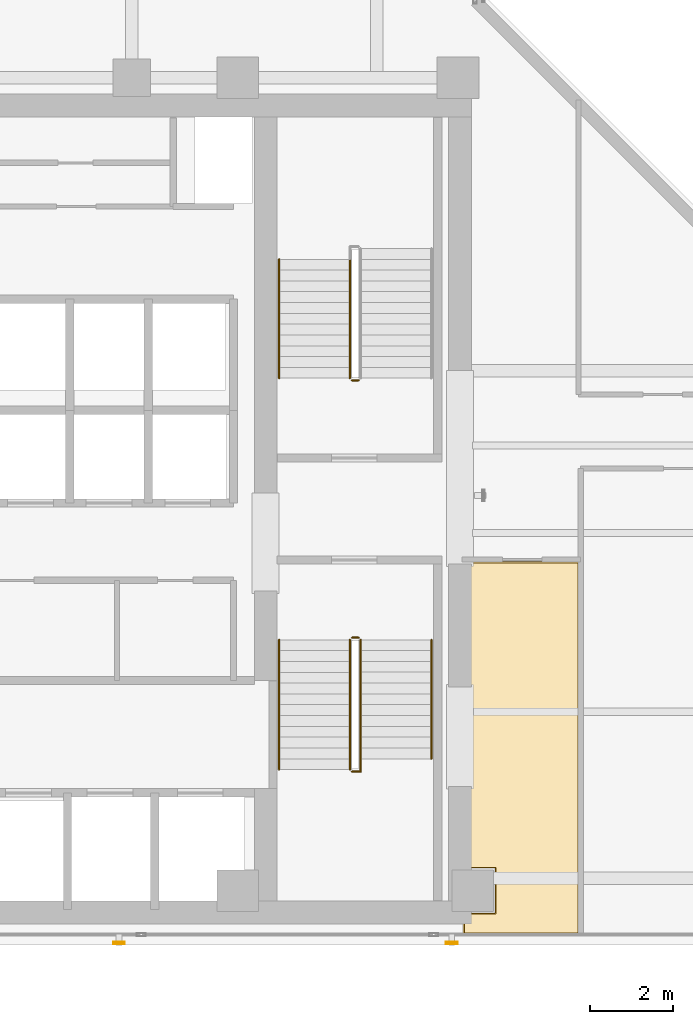
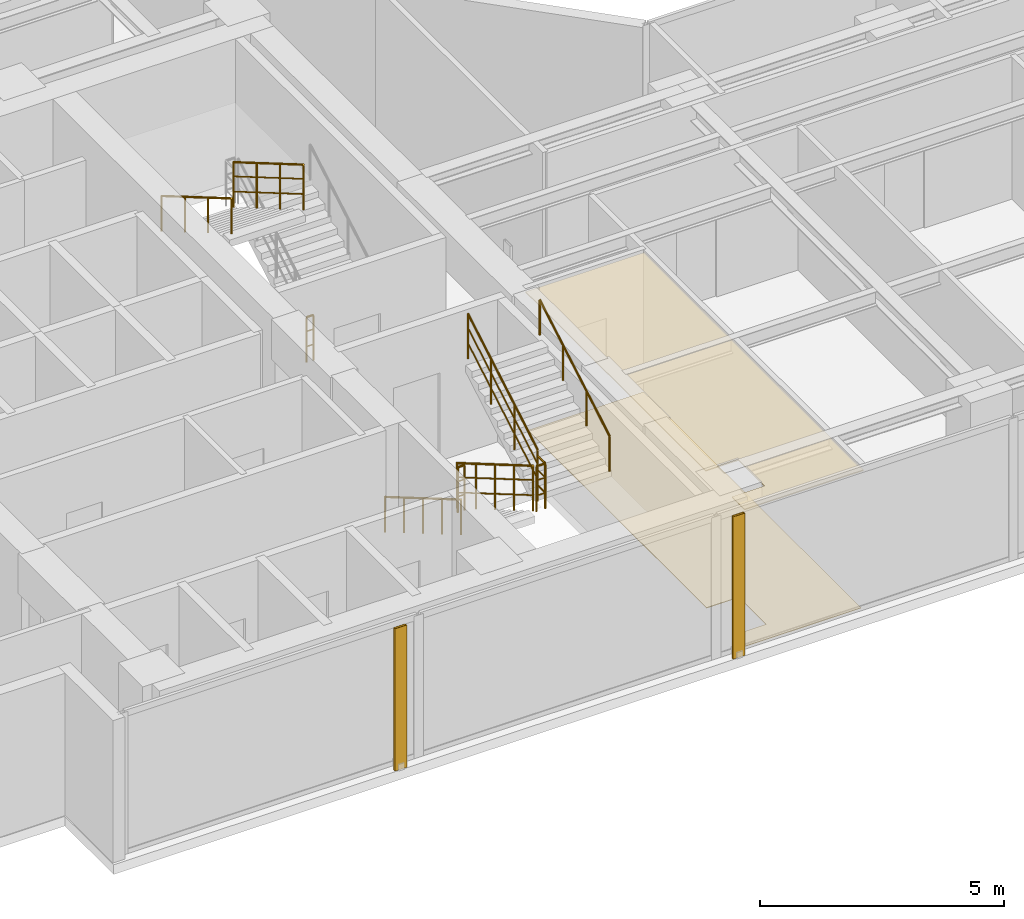
# One storey, part 19 of 23: 9 railings, 2 coverings, 2 shading devices.
"""IFC4 building model written with IfcOpenShell, lengths in metres."""

from ifc_helpers import new_model, si_unit, direction, frame, origin, origin_2d, place, context, subcontext, project, spatial, polyline, hollow_rectangle, circle, outline, extrude, material, layer, layer_set, material_profile, profile_set, type_object, element, save


model = new_model("IFC4")

# Units and contexts
model_context = context("Model", 3, precision=1e-05, world=origin(), true_north=direction((0.0, 1.0)))
body_context = subcontext(model_context, "Body", "Model", "MODEL_VIEW")
ifc_project = project(units=[si_unit("LENGTHUNIT", "METRE"), si_unit("AREAUNIT", "SQUARE_METRE"), si_unit("VOLUMEUNIT", "CUBIC_METRE"), si_unit("PLANEANGLEUNIT", "RADIAN"), si_unit("MASSUNIT", "GRAM", prefix="KILO")], contexts=[model_context])

# Site, building, storey
site_placement = place(None, origin())
site = spatial("IfcSite", under=ifc_project, at=site_placement, CompositionType="ELEMENT")
building_placement = place(site_placement, origin())
building = spatial("IfcBuilding", under=site, at=building_placement, Name="Kolvaren Waterfront Exchange", CompositionType="ELEMENT")
storey_placement = place(building_placement, frame((0.0, 0.0, 212.10009765625)))
storey = spatial("IfcBuildingStorey", under=building, at=storey_placement, Name="L54", CompositionType="ELEMENT", Elevation=212.10009765625)

# Covering
ifc_material_1 = material(Name="Mineral fibre acoustic ceiling tile")
ifc_layer_1 = layer(ifc_material_1, 0.02490234375, Name="Mineral fibre acoustic ceiling tile")
ifc_layer_set_1 = layer_set([ifc_layer_1], Name="Mineral fibre acoustic ceiling tile")
covering_type_1 = type_object("IfcCoveringType", Name="ARC-CEIL-ACOUSTIC-25", PredefinedType="CEILING", material=ifc_layer_set_1)
covering_1_placement = place(storey_placement, frame((0.0, 0.0, 3.44482421875)))
element("IfcCovering", 1, at=covering_1_placement, inside=storey, type_object=covering_type_1, Name="L54 acoustic suspended ceiling 3", PredefinedType="CEILING", context=body_context, shape_type="SweptSolid", body=[
    extrude(outline(polyline([(20.864990234375, 5.43994140625), (21.639892578125, 5.43994140625), (21.639892578125, 4.360107421875), (20.864990234375, 4.360107421875), (20.864990234375, 3.844970703125), (23.675048828125, 3.844970703125), (23.675048828125, 12.81494140625), (20.864990234375, 12.81494140625), (20.864990234375, 5.43994140625)])), origin(), (0.0, 0.0, 1.0), 0.025146484375),
])

# Shading devices
ifc_material_2 = material(Name="Anodised bronze aluminium 6063-T6", Category="aluminium")
ifc_material_profile = material_profile(ifc_material_2, hollow_rectangle(XDim=0.054931640625, YDim=0.280029296875, WallThickness=0.00439453125, at=origin_2d()), Name="BRZ-FIN-280x55x4.5")
ifc_profile_set = profile_set([ifc_material_profile], Name="Anodised bronze aluminium 6063-T6")
shading_device_type = type_object("IfcShadingDeviceType", Name="ARC-FIN-280", PredefinedType="USERDEFINED", material=ifc_profile_set)
for number, where, z_axis, x_axis, name in (
    (2, (12.60009765625, 3.639892578125, 0.0), (0.0, 0.0, 1.0), (0.0, -1.0, 0.0), "L54 anodised bronze solar shading fin FIN-L54-S1"),
    (3, (20.60009765625, 3.639892578125, 0.0), (0.0, 0.0, 1.0), (0.0, -1.0, 0.0), "L54 anodised bronze solar shading fin FIN-L54-S2"),
):
    element("IfcShadingDevice", number, at=place(storey_placement, frame(where, z_axis=z_axis, x_axis=x_axis)), inside=storey, type_object=shading_device_type, Name=name, ObjectType="SOLAR FIN", PredefinedType="USERDEFINED", context=body_context, shape_type="SweptSolid", body=[
        extrude(hollow_rectangle(XDim=0.054931640625, YDim=0.280029296875, WallThickness=0.00439453125, at=origin_2d()), origin(), (0.0, 0.0, 1.0), 3.559814453125),
    ])

# Covering
ifc_material_3 = material(Name="Slip-resistant porcelain tile")
ifc_layer_2 = layer(ifc_material_3, 0.014892578125, Name="Slip-resistant porcelain tile")
ifc_layer_set_2 = layer_set([ifc_layer_2], Name="Slip-resistant porcelain tile")
covering_type_2 = type_object("IfcCoveringType", Name="ARC-FLR-PORC-15", PredefinedType="FLOORING", material=ifc_layer_set_2)
covering_2_placement = place(storey_placement, origin())
element("IfcCovering", 4, at=covering_2_placement, inside=storey, type_object=covering_type_2, Name="L54 floor finish 3", PredefinedType="FLOORING", context=body_context, shape_type="SweptSolid", body=[
    extrude(outline(polyline([(20.89990234375, 4.340087890625), (20.89990234375, 3.8798828125), (23.639892578125, 3.8798828125), (23.639892578125, 12.780029296875), (20.89990234375, 12.780029296875), (20.89990234375, 5.4599609375), (21.659912109375, 5.4599609375), (21.659912109375, 4.340087890625), (20.89990234375, 4.340087890625)])), origin(), (0.0, 0.0, 1.0), 0.014892578125),
])

# Railings
ifc_material_4 = material(Name="Stainless steel 316", Category="steel")
railing_type_1 = type_object("IfcRailingType", Name="ARC-GUARD-STAIR", PredefinedType="GUARDRAIL", material=ifc_material_4)
railing_1_placement = place(storey_placement, frame((18.14990234375, 10.929931640625, 0.15185546875)))
element("IfcRailing", 5, at=railing_1_placement, inside=storey, type_object=railing_type_1, Name="L54 ST1 stair guard 1", PredefinedType="GUARDRAIL", context=body_context, shape_type="SweptSolid", body=[
    extrude(circle(Radius=0.02392578125, at=origin_2d()), frame((0.0, 0.0, 1.1259765625), z_axis=(0.0, -0.86329090724, 0.504706656858), x_axis=(1.0, 0.0, 0.0)), (0.0, 0.0, 1.0), 3.614013671875),
    extrude(circle(Radius=0.01611328125, at=origin_2d()), frame((0.0, 0.0, 0.390869140625), z_axis=(0.0, -0.86329090724, 0.504706656858), x_axis=(1.0, 0.0, 0.0)), (0.0, 0.0, 1.0), 3.614013671875),
    extrude(circle(Radius=0.01611328125, at=origin_2d()), frame((0.0, 0.0, 0.7705078125), z_axis=(0.0, -0.86329090724, 0.504706656858), x_axis=(1.0, 0.0, 0.0)), (0.0, 0.0, 1.0), 3.614013671875),
    extrude(circle(Radius=0.02099609375, at=origin_2d()), origin(), (0.0, 0.0, 1.0), 1.101806640625),
    extrude(circle(Radius=0.02099609375, at=origin_2d()), frame((0.0, -0.780029296875, 0.4560546875)), (0.0, 0.0, 1.0), 1.101806640625),
    extrude(circle(Radius=0.02099609375, at=origin_2d()), frame((0.0, -1.56005859375, 0.912109375)), (0.0, 0.0, 1.0), 1.101806640625),
    extrude(circle(Radius=0.02099609375, at=origin_2d()), frame((0.0, -2.33984375, 1.367919921875)), (0.0, 0.0, 1.0), 1.101806640625),
    extrude(circle(Radius=0.02099609375, at=origin_2d()), frame((0.0, -3.119873046875, 1.823974609375)), (0.0, 0.0, 1.0), 1.101806640625),
])
railing_2_placement = place(storey_placement, frame((18.199951171875, 7.760009765625, 1.975830078125)))
element("IfcRailing", 6, at=railing_2_placement, inside=storey, type_object=railing_type_1, Name="L54 ST1 stair guard 2", PredefinedType="GUARDRAIL", context=body_context, shape_type="SweptSolid", body=[
    extrude(circle(Radius=0.02392578125, at=origin_2d()), frame((0.0, 0.0, 1.1259765625), z_axis=(1.0, 0.0, 0.0), x_axis=(0.0, 1.0, 0.0)), (0.0, 0.0, 1.0), 0.2099609375),
    extrude(circle(Radius=0.01611328125, at=origin_2d()), frame((0.0, 0.0, 0.390869140625), z_axis=(1.0, 0.0, 0.0), x_axis=(0.0, 1.0, 0.0)), (0.0, 0.0, 1.0), 0.2099609375),
    extrude(circle(Radius=0.01611328125, at=origin_2d()), frame((0.0, 0.0, 0.7705078125), z_axis=(1.0, 0.0, 0.0), x_axis=(0.0, 1.0, 0.0)), (0.0, 0.0, 1.0), 0.2099609375),
    extrude(circle(Radius=0.02392578125, at=origin_2d()), frame((0.2099609375, 0.0, 1.1259765625), z_axis=(0.0, 1.0, 0.0), x_axis=(-1.0, 0.0, 0.0)), (0.0, 0.0, 1.0), 0.31005859375),
    extrude(circle(Radius=0.01611328125, at=origin_2d()), frame((0.2099609375, 0.0, 0.390869140625), z_axis=(0.0, 1.0, 0.0), x_axis=(-1.0, 0.0, 0.0)), (0.0, 0.0, 1.0), 0.31005859375),
    extrude(circle(Radius=0.01611328125, at=origin_2d()), frame((0.2099609375, 0.0, 0.7705078125), z_axis=(0.0, 1.0, 0.0), x_axis=(-1.0, 0.0, 0.0)), (0.0, 0.0, 1.0), 0.31005859375),
    extrude(circle(Radius=0.02099609375, at=origin_2d()), origin(), (0.0, 0.0, 1.0), 1.101806640625),
    extrude(circle(Radius=0.02099609375, at=origin_2d()), frame((0.2099609375, 0.0, 0.0)), (0.0, 0.0, 1.0), 1.101806640625),
    extrude(circle(Radius=0.02099609375, at=origin_2d()), frame((0.2099609375, 0.31005859375, 0.0)), (0.0, 0.0, 1.0), 1.101806640625),
])
railing_3_placement = place(storey_placement, frame((18.409912109375, 8.070068359375, 2.1279296875)))
element("IfcRailing", 7, at=railing_3_placement, inside=storey, type_object=railing_type_1, Name="L54 ST1 stair guard 3", PredefinedType="GUARDRAIL", context=body_context, shape_type="SweptSolid", body=[
    extrude(circle(Radius=0.02392578125, at=origin_2d()), frame((0.0, 0.0, 1.1259765625), z_axis=(0.0, 0.86330272217, 0.504686447108), x_axis=(-1.0, 0.0, 0.0)), (0.0, 0.0, 1.0), 3.312744140625),
    extrude(circle(Radius=0.01611328125, at=origin_2d()), frame((0.0, 0.0, 0.390869140625), z_axis=(0.0, 0.86330272217, 0.504686447108), x_axis=(-1.0, 0.0, 0.0)), (0.0, 0.0, 1.0), 3.312744140625),
    extrude(circle(Radius=0.01611328125, at=origin_2d()), frame((0.0, 0.0, 0.7705078125), z_axis=(0.0, 0.86330272217, 0.504686447108), x_axis=(-1.0, 0.0, 0.0)), (0.0, 0.0, 1.0), 3.312744140625),
    extrude(circle(Radius=0.02099609375, at=origin_2d()), origin(), (0.0, 0.0, 1.0), 1.101806640625),
    extrude(circle(Radius=0.02099609375, at=origin_2d()), frame((0.0, 0.953369140625, 0.557373046875)), (0.0, 0.0, 1.0), 1.101806640625),
    extrude(circle(Radius=0.02099609375, at=origin_2d()), frame((0.0, 1.906494140625, 1.114501953125)), (0.0, 0.0, 1.0), 1.101806640625),
    extrude(circle(Radius=0.02099609375, at=origin_2d()), frame((0.0, 2.85986328125, 1.671875)), (0.0, 0.0, 1.0), 1.101806640625),
])
railing_4_placement = place(storey_placement, frame((18.199951171875, 10.97998046875, 0.0)))
element("IfcRailing", 8, at=railing_4_placement, inside=storey, type_object=railing_type_1, Name="L54 ST1 stair guard 4", PredefinedType="GUARDRAIL", context=body_context, shape_type="SweptSolid", body=[
    extrude(circle(Radius=0.02392578125, at=origin_2d()), frame((0.0, 0.0, 1.1259765625), z_axis=(1.0, 0.0, 0.0), x_axis=(0.0, 1.0, 0.0)), (0.0, 0.0, 1.0), 0.16015625),
    extrude(circle(Radius=0.01611328125, at=origin_2d()), frame((0.0, 0.0, 0.390869140625), z_axis=(1.0, 0.0, 0.0), x_axis=(0.0, 1.0, 0.0)), (0.0, 0.0, 1.0), 0.16015625),
    extrude(circle(Radius=0.01611328125, at=origin_2d()), frame((0.0, 0.0, 0.7705078125), z_axis=(1.0, 0.0, 0.0), x_axis=(0.0, 1.0, 0.0)), (0.0, 0.0, 1.0), 0.16015625),
    extrude(circle(Radius=0.02099609375, at=origin_2d()), origin(), (0.0, 0.0, 1.0), 1.101806640625),
    extrude(circle(Radius=0.02099609375, at=origin_2d()), frame((0.16015625, 0.0, 0.0)), (0.0, 0.0, 1.0), 1.101806640625),
])
railing_5_placement = place(storey_placement, frame((18.14990234375, 20.080078125, 2.1279296875)))
element("IfcRailing", 9, at=railing_5_placement, inside=storey, type_object=railing_type_1, Name="L54 ST2 stair guard 3", PredefinedType="GUARDRAIL", context=body_context, shape_type="SweptSolid", body=[
    extrude(circle(Radius=0.02392578125, at=origin_2d()), frame((0.0, 0.0, 1.1259765625), z_axis=(0.0, -0.863321491973, 0.504654338629), x_axis=(1.0, 0.0, 0.0)), (0.0, 0.0, 1.0), 3.31298828125),
    extrude(circle(Radius=0.01611328125, at=origin_2d()), frame((0.0, 0.0, 0.390869140625), z_axis=(0.0, -0.863321491973, 0.504654338629), x_axis=(1.0, 0.0, 0.0)), (0.0, 0.0, 1.0), 3.31298828125),
    extrude(circle(Radius=0.01611328125, at=origin_2d()), frame((0.0, 0.0, 0.7705078125), z_axis=(0.0, -0.863321491973, 0.504654338629), x_axis=(1.0, 0.0, 0.0)), (0.0, 0.0, 1.0), 3.31298828125),
    extrude(circle(Radius=0.02099609375, at=origin_2d()), origin(), (0.0, 0.0, 1.0), 1.101806640625),
    extrude(circle(Radius=0.02099609375, at=origin_2d()), frame((0.0, -0.953369140625, 0.557373046875)), (0.0, 0.0, 1.0), 1.101806640625),
    extrude(circle(Radius=0.02099609375, at=origin_2d()), frame((0.0, -1.90673828125, 1.114501953125)), (0.0, 0.0, 1.0), 1.101806640625),
    extrude(circle(Radius=0.02099609375, at=origin_2d()), frame((0.0, -2.860107421875, 1.671875)), (0.0, 0.0, 1.0), 1.101806640625),
])
railing_6_placement = place(storey_placement, frame((18.360107421875, 17.169921875, 0.0)))
element("IfcRailing", 10, at=railing_6_placement, inside=storey, type_object=railing_type_1, Name="L54 ST2 stair guard 4", PredefinedType="GUARDRAIL", context=body_context, shape_type="SweptSolid", body=[
    extrude(circle(Radius=0.02392578125, at=origin_2d()), frame((0.0, 0.0, 1.1259765625), z_axis=(-1.0, 0.0, 0.0), x_axis=(0.0, -1.0, 0.0)), (0.0, 0.0, 1.0), 0.16015625),
    extrude(circle(Radius=0.01611328125, at=origin_2d()), frame((0.0, 0.0, 0.390869140625), z_axis=(-1.0, 0.0, 0.0), x_axis=(0.0, -1.0, 0.0)), (0.0, 0.0, 1.0), 0.16015625),
    extrude(circle(Radius=0.01611328125, at=origin_2d()), frame((0.0, 0.0, 0.7705078125), z_axis=(-1.0, 0.0, 0.0), x_axis=(0.0, -1.0, 0.0)), (0.0, 0.0, 1.0), 0.16015625),
    extrude(circle(Radius=0.02099609375, at=origin_2d()), origin(), (0.0, 0.0, 1.0), 1.101806640625),
    extrude(circle(Radius=0.02099609375, at=origin_2d()), frame((-0.16015625, 0.0, 0.0)), (0.0, 0.0, 1.0), 1.101806640625),
])
railing_type_2 = type_object("IfcRailingType", Name="ARC-HANDRAIL-900", PredefinedType="HANDRAIL", material=ifc_material_4)
railing_7_placement = place(storey_placement, frame((16.449951171875, 10.929931640625, 0.15185546875)))
element("IfcRailing", 11, at=railing_7_placement, inside=storey, type_object=railing_type_2, Name="L54 ST1 stair handrail 1", PredefinedType="HANDRAIL", context=body_context, shape_type="SweptSolid", body=[
    extrude(circle(Radius=0.02392578125, at=origin_2d()), frame((0.0, 0.0, 0.8759765625), z_axis=(0.0, -0.86329090724, 0.504706656858), x_axis=(1.0, 0.0, 0.0)), (0.0, 0.0, 1.0), 3.614013671875),
    extrude(circle(Radius=0.02099609375, at=origin_2d()), origin(), (0.0, 0.0, 1.0), 0.851806640625),
    extrude(circle(Radius=0.02099609375, at=origin_2d()), frame((0.0, -0.780029296875, 0.4560546875)), (0.0, 0.0, 1.0), 0.851806640625),
    extrude(circle(Radius=0.02099609375, at=origin_2d()), frame((0.0, -1.56005859375, 0.912109375)), (0.0, 0.0, 1.0), 0.851806640625),
    extrude(circle(Radius=0.02099609375, at=origin_2d()), frame((0.0, -2.33984375, 1.367919921875)), (0.0, 0.0, 1.0), 0.851806640625),
    extrude(circle(Radius=0.02099609375, at=origin_2d()), frame((0.0, -3.119873046875, 1.823974609375)), (0.0, 0.0, 1.0), 0.851806640625),
])
railing_8_placement = place(storey_placement, frame((20.110107421875, 8.070068359375, 2.1279296875)))
element("IfcRailing", 12, at=railing_8_placement, inside=storey, type_object=railing_type_2, Name="L54 ST1 stair handrail 2", PredefinedType="HANDRAIL", context=body_context, shape_type="SweptSolid", body=[
    extrude(circle(Radius=0.02392578125, at=origin_2d()), frame((0.0, 0.0, 0.8759765625), z_axis=(0.0, 0.86330272217, 0.504686447108), x_axis=(-1.0, 0.0, 0.0)), (0.0, 0.0, 1.0), 3.312744140625),
    extrude(circle(Radius=0.02099609375, at=origin_2d()), origin(), (0.0, 0.0, 1.0), 0.851806640625),
    extrude(circle(Radius=0.02099609375, at=origin_2d()), frame((0.0, 0.953369140625, 0.557373046875)), (0.0, 0.0, 1.0), 0.851806640625),
    extrude(circle(Radius=0.02099609375, at=origin_2d()), frame((0.0, 1.906494140625, 1.114501953125)), (0.0, 0.0, 1.0), 0.851806640625),
    extrude(circle(Radius=0.02099609375, at=origin_2d()), frame((0.0, 2.85986328125, 1.671875)), (0.0, 0.0, 1.0), 0.851806640625),
])
railing_9_placement = place(storey_placement, frame((16.449951171875, 20.080078125, 2.1279296875)))
element("IfcRailing", 13, at=railing_9_placement, inside=storey, type_object=railing_type_2, Name="L54 ST2 stair handrail 2", PredefinedType="HANDRAIL", context=body_context, shape_type="SweptSolid", body=[
    extrude(circle(Radius=0.02392578125, at=origin_2d()), frame((0.0, 0.0, 0.8759765625), z_axis=(0.0, -0.863321491973, 0.504654338629), x_axis=(1.0, 0.0, 0.0)), (0.0, 0.0, 1.0), 3.31298828125),
    extrude(circle(Radius=0.02099609375, at=origin_2d()), origin(), (0.0, 0.0, 1.0), 0.851806640625),
    extrude(circle(Radius=0.02099609375, at=origin_2d()), frame((0.0, -0.953369140625, 0.557373046875)), (0.0, 0.0, 1.0), 0.851806640625),
    extrude(circle(Radius=0.02099609375, at=origin_2d()), frame((0.0, -1.90673828125, 1.114501953125)), (0.0, 0.0, 1.0), 0.851806640625),
    extrude(circle(Radius=0.02099609375, at=origin_2d()), frame((0.0, -2.860107421875, 1.671875)), (0.0, 0.0, 1.0), 0.851806640625),
])

save(model, "model.ifc")
